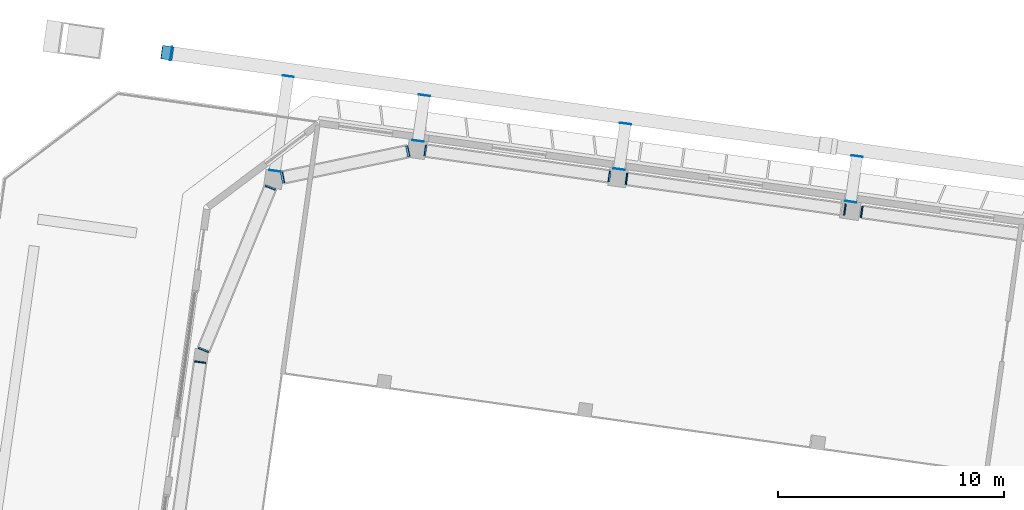
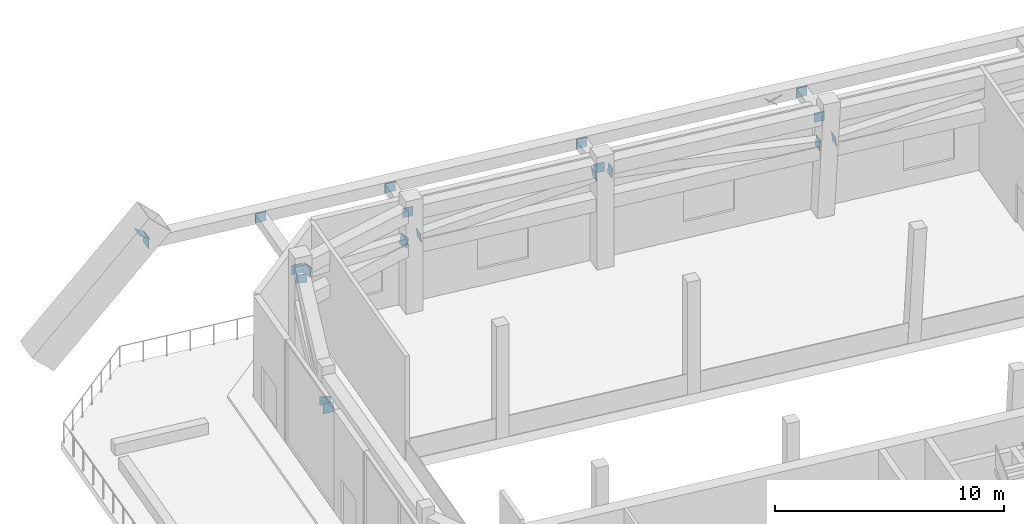
# One storey, part 22 of 29: 20 discrete accessories.
"""IFC4 building model written with IfcOpenShell, lengths in metres."""

from ifc_helpers import new_model, si_unit, direction, frame, origin, origin_2d, place, context, subcontext, project, spatial, rectangle, extrude, material, material_profile, profile_set, type_object, element, save


model = new_model("IFC4")

# Units and contexts
model_context = context("Model", 3, precision=1e-05, world=origin(), true_north=direction((0.0, 1.0)))
body_context = subcontext(model_context, "Body", "Model", "MODEL_VIEW")
ifc_project = project(units=[si_unit("LENGTHUNIT", "METRE"), si_unit("AREAUNIT", "SQUARE_METRE"), si_unit("VOLUMEUNIT", "CUBIC_METRE"), si_unit("PLANEANGLEUNIT", "RADIAN"), si_unit("MASSUNIT", "GRAM", prefix="KILO")], contexts=[model_context])

# Site, building, storey
site_placement = place(None, origin())
site = spatial("IfcSite", under=ifc_project, at=site_placement, CompositionType="ELEMENT")
building_placement = place(site_placement, origin())
building = spatial("IfcBuilding", under=site, at=building_placement, Name="Mirante Cascada Hotel Towers", CompositionType="ELEMENT")
storey_placement = place(building_placement, frame((0.0, 0.0, 210.6)))
storey = spatial("IfcBuildingStorey", under=building, at=storey_placement, Name="L50", CompositionType="ELEMENT", Elevation=210.6)

# Discrete accessories
ifc_material_1 = material(Name="Steel ASTM A572 Gr 50", Category="steel")
ifc_material_profile_1 = material_profile(ifc_material_1, rectangle(XDim=0.5, YDim=0.5, at=origin_2d()), Name="Connection plate 500x500x25 ASTM A572 Gr 50")
ifc_profile_set_1 = profile_set([ifc_material_profile_1], Name="Steel ASTM A572 Gr 50")
discrete_accessory_type_1 = type_object("IfcDiscreteAccessoryType", Name="Connection plate 500x500x25 ASTM A572 Gr 50", PredefinedType="BRACKET", material=ifc_profile_set_1)
for number, where, z_axis, x_axis, name in (
    (1, (-43.3678, 18.3586, 3.7514), (-0.9843466, 0.1360479, -0.1120394), (-0.1369099, -0.9905835, 0.0), "Connection plate BT50D"),
    (2, (-44.1204, 18.4643, 3.7486), (-0.9838033, 0.139972, 0.1119776), (-0.1408579, -0.9900298, 0.0), "Connection plate BT50D"),
    (3, (-53.8018, 19.825, 4.8486), (-0.9843466, 0.1360479, 0.1120394), (-0.1369099, -0.9905835, 0.0), "Connection plate BT50D"),
    (4, (-54.5544, 19.9307, 4.8517), (-0.9807378, 0.1401054, -0.1361024), (-0.1414214, -0.9899495, 0.0), "Connection plate BT50D"),
):
    element("IfcDiscreteAccessory", number, at=place(storey_placement, frame(where, z_axis=z_axis, x_axis=x_axis)), inside=storey, type_object=discrete_accessory_type_1, Name=name, PredefinedType="BRACKET", context=body_context, shape_type="SweptSolid", body=[
        extrude(rectangle(XDim=0.5, YDim=0.5, at=origin_2d()), origin(), (0.0, 0.0, 1.0), 0.025),
    ])
discrete_accessory_1_placement = place(storey_placement, frame((-62.7142, 21.0775, 3.7517), z_axis=(-0.9808896, 0.1395575, -0.1355701), x_axis=(-0.1408579, -0.9900298, 0.0)))
element("IfcDiscreteAccessory", 5, at=discrete_accessory_1_placement, inside=storey, type_object=discrete_accessory_type_1, Name="Connection plate BT50D", PredefinedType="BRACKET", context=body_context, shape_type="SweptSolid", body=[
    extrude(rectangle(XDim=0.5, YDim=0.5, at=origin_2d()), origin(), (0.0, 0.0, 1.0), 0.0251),
])
for number, where, z_axis, x_axis, name in (
    (6, (-63.4874, 21.0516, 3.7476), (-0.9599616, -0.2039918, 0.1919923), (0.2078588, -0.9781589, 0.0), "Connection plate BT50D"),
    (7, (-69.041, 19.8881, 4.8476), (-0.9607381, -0.2001538, 0.1921476), (0.2039543, -0.9789804, 0.0), "Connection plate BT50D"),
    (8, (-69.5944, 19.4506, 4.8517), (-0.3762017, -0.9164914, -0.136073), (0.9250959, -0.3797337, 0.0), "Connection plate BT50D"),
    (9, (-72.5554, 12.2539, 3.7517), (-0.3796297, -0.9151073, -0.1358675), (0.9236725, -0.3831829, 0.0), "Connection plate BT50D"),
    (10, (-72.7076, 11.7096, 3.7488), (-0.1402054, -0.9854437, 0.0961409), (0.9900298, -0.1408579, 0.0), "Connection plate BT50D"),
    (11, (-43.8719, 18.8005, 4.85), (0.1397442, 0.9901876, 0.0), (-0.9901876, 0.1397442, 0.0), "Connection plate TIE"),
):
    element("IfcDiscreteAccessory", number, at=place(storey_placement, frame(where, z_axis=z_axis, x_axis=x_axis)), inside=storey, type_object=discrete_accessory_type_1, Name=name, PredefinedType="BRACKET", context=body_context, shape_type="SweptSolid", body=[
        extrude(rectangle(XDim=0.5, YDim=0.5, at=origin_2d()), origin(), (0.0, 0.0, 1.0), 0.025),
    ])
discrete_accessory_2_placement = place(storey_placement, frame((-43.588, 20.8207, 4.85), z_axis=(0.1402989, 0.9901092, 0.0), x_axis=(-0.9901092, 0.1402989, 0.0)))
element("IfcDiscreteAccessory", 12, at=discrete_accessory_2_placement, inside=storey, type_object=discrete_accessory_type_1, Name="Connection plate TIE", PredefinedType="BRACKET", context=body_context, shape_type="SweptSolid", body=[
    extrude(rectangle(XDim=0.5, YDim=0.5, at=origin_2d()), origin(), (0.0, 0.0, 1.0), 0.0249),
])
for number, where, z_axis, x_axis, name in (
    (13, (-54.1392, 20.2435, 4.85), (0.1397442, 0.9901876, 0.0), (-0.9901876, 0.1397442, 0.0), "Connection plate TIE"),
    (14, (-53.8553, 22.2636, 4.85), (0.1397442, 0.9901876, 0.0), (-0.9901876, 0.1397442, 0.0), "Connection plate TIE"),
):
    element("IfcDiscreteAccessory", number, at=place(storey_placement, frame(where, z_axis=z_axis, x_axis=x_axis)), inside=storey, type_object=discrete_accessory_type_1, Name=name, PredefinedType="BRACKET", context=body_context, shape_type="SweptSolid", body=[
        extrude(rectangle(XDim=0.5, YDim=0.5, at=origin_2d()), origin(), (0.0, 0.0, 1.0), 0.025),
    ])
discrete_accessory_3_placement = place(storey_placement, frame((-63.0516, 21.4961, 4.85), z_axis=(0.136366, 0.9906585, 0.0), x_axis=(-0.9906585, 0.136366, 0.0)))
element("IfcDiscreteAccessory", 15, at=discrete_accessory_3_placement, inside=storey, type_object=discrete_accessory_type_1, Name="Connection plate TIE", PredefinedType="BRACKET", context=body_context, shape_type="SweptSolid", body=[
    extrude(rectangle(XDim=0.5, YDim=0.5, at=origin_2d()), origin(), (0.0, 0.0, 1.0), 0.0249),
])
for number, where, z_axis, x_axis, name in (
    (16, (-62.7677, 23.5162, 4.85), (0.1397442, 0.9901876, 0.0), (-0.9901876, 0.1397442, 0.0), "Connection plate TIE"),
    (17, (-69.3985, 20.1664, 4.85), (0.1397442, 0.9901876, 0.0), (-0.9901876, 0.1397442, 0.0), "Connection plate TIE"),
):
    element("IfcDiscreteAccessory", number, at=place(storey_placement, frame(where, z_axis=z_axis, x_axis=x_axis)), inside=storey, type_object=discrete_accessory_type_1, Name=name, PredefinedType="BRACKET", context=body_context, shape_type="SweptSolid", body=[
        extrude(rectangle(XDim=0.5, YDim=0.5, at=origin_2d()), origin(), (0.0, 0.0, 1.0), 0.025),
    ])
discrete_accessory_4_placement = place(storey_placement, frame((-68.8084, 24.3652, 4.85), z_axis=(0.1402989, 0.9901092, 0.0), x_axis=(-0.9901092, 0.1402989, 0.0)))
element("IfcDiscreteAccessory", 18, at=discrete_accessory_4_placement, inside=storey, type_object=discrete_accessory_type_1, Name="Connection plate TIE", PredefinedType="BRACKET", context=body_context, shape_type="SweptSolid", body=[
    extrude(rectangle(XDim=0.5, YDim=0.5, at=origin_2d()), origin(), (0.0, 0.0, 1.0), 0.0249),
])
ifc_material_2 = material(Name="Steel ASTM A572 Gr 50", Category="steel")
ifc_material_profile_2 = material_profile(ifc_material_2, rectangle(XDim=0.6, YDim=0.6, at=origin_2d()), Name="Connection plate 600x600x25 ASTM A572 Gr 50")
ifc_profile_set_2 = profile_set([ifc_material_profile_2], Name="Steel ASTM A572 Gr 50")
discrete_accessory_type_2 = type_object("IfcDiscreteAccessoryType", Name="Connection plate 600x600x25 ASTM A572 Gr 50", PredefinedType="BRACKET", material=ifc_profile_set_2)
for number, where, z_axis, x_axis, name in (
    (19, (-74.1758, 25.4149, 5.2077), (0.5556889, -0.0799552, 0.8275367), (0.1424182, 0.9898066, 0.0), "Connection plate MB-FL50R"),
    (20, (-73.98, 25.3874, 4.85), (-0.9901876, 0.1397442, 0.0), (-0.1397442, -0.9901876, 0.0), "Connection plate NCH"),
):
    element("IfcDiscreteAccessory", number, at=place(storey_placement, frame(where, z_axis=z_axis, x_axis=x_axis)), inside=storey, type_object=discrete_accessory_type_2, Name=name, PredefinedType="BRACKET", context=body_context, shape_type="SweptSolid", body=[
        extrude(rectangle(XDim=0.6, YDim=0.6, at=origin_2d()), origin(), (0.0, 0.0, 1.0), 0.025),
    ])

save(model, "model.ifc")
